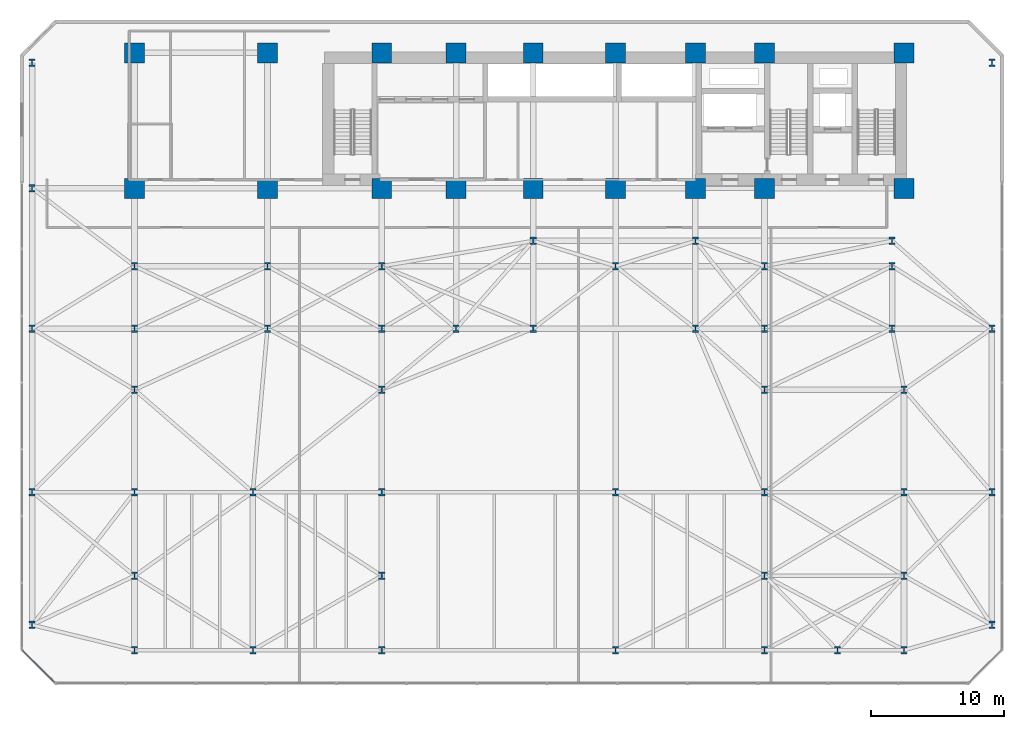
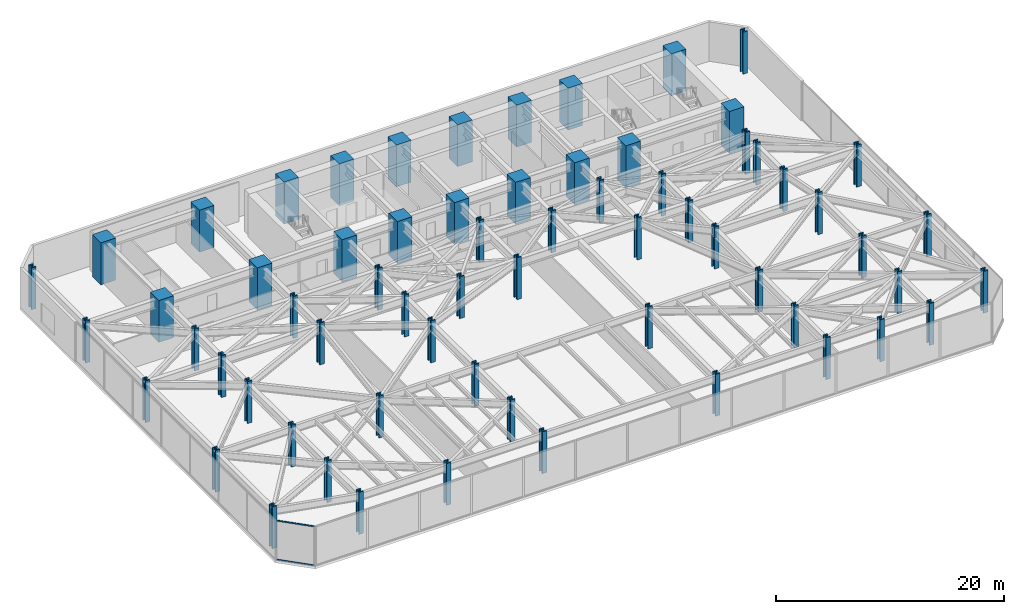
# One storey, part 1 of 28: 65 columns, 2 members, 1 element without a shape of its own.
"""IFC4 building model written with IfcOpenShell, lengths in metres."""

from ifc_helpers import new_model, si_unit, direction, frame, origin, origin_2d, place, context, subcontext, project, spatial, rectangle, hollow_rectangle, i_section, extrude, material, layer, layer_set, material_profile, profile_set, type_object, element, aggregate, save


model = new_model("IFC4")

# Units and contexts
model_context = context("Model", 3, precision=1e-05, world=origin(), true_north=direction((0.0, 1.0)))
body_context = subcontext(model_context, "Body", "Model", "MODEL_VIEW")
ifc_project = project(units=[si_unit("LENGTHUNIT", "METRE"), si_unit("AREAUNIT", "SQUARE_METRE"), si_unit("VOLUMEUNIT", "CUBIC_METRE"), si_unit("PLANEANGLEUNIT", "RADIAN"), si_unit("MASSUNIT", "GRAM", prefix="KILO")], contexts=[model_context])

# Site, building, storey
site_placement = place(None, origin())
site = spatial("IfcSite", under=ifc_project, at=site_placement, CompositionType="ELEMENT")
building_placement = place(site_placement, origin())
building = spatial("IfcBuilding", under=site, at=building_placement, Name="Kravanh Interchange Tower", CompositionType="ELEMENT")
storey_placement = place(building_placement, frame((0.0, 0.0, 15.300048828125)))
storey = spatial("IfcBuildingStorey", under=building, at=storey_placement, Name="L03", CompositionType="ELEMENT", Elevation=15.300048828125)

# Columns
ifc_material_1 = material(Name="Concrete C80/95", Category="concrete")
ifc_material_profile_1 = material_profile(ifc_material_1, rectangle(XDim=1.5, YDim=1.5, at=origin_2d()), Name="RC1500X1500")
ifc_profile_set_1 = profile_set([ifc_material_profile_1], Name="Concrete C80/95")
column_type_1 = type_object("IfcColumnType", Name="Column RC1500X1500 Concrete C80/95", PredefinedType="COLUMN", material=ifc_profile_set_1)
for number, where, z_axis, x_axis, name in (
    (1, (66.5, 47.550048828125, 0.0), (0.0, 0.0, 1.0), (1.0, 0.0, 0.0), "L03 Column CS01"),
    (2, (56.0, 47.550048828125, 0.0), (0.0, 0.0, 1.0), (1.0, 0.0, 0.0), "L03 Column CS02"),
    (3, (66.5, 37.35009765625, 0.0), (0.0, 0.0, 1.0), (1.0, 0.0, 0.0), "L03 Column CS03"),
    (4, (56.0, 37.35009765625, 0.0), (0.0, 0.0, 1.0), (1.0, 0.0, 0.0), "L03 Column CS04"),
    (5, (50.800048828125, 47.550048828125, 0.0), (0.0, 0.0, 1.0), (1.0, 0.0, 0.0), "L03 Column CS05"),
    (6, (50.800048828125, 37.35009765625, 0.0), (0.0, 0.0, 1.0), (1.0, 0.0, 0.0), "L03 Column CS06"),
    (7, (44.800048828125, 37.35009765625, 0.0), (0.0, 0.0, 1.0), (1.0, 0.0, 0.0), "L03 Column CS07"),
    (8, (44.800048828125, 47.550048828125, 0.0), (0.0, 0.0, 1.0), (1.0, 0.0, 0.0), "L03 Column CS08"),
    (9, (38.60009765625, 37.35009765625, 0.0), (0.0, 0.0, 1.0), (1.0, 0.0, 0.0), "L03 Column CS09"),
    (10, (38.60009765625, 47.550048828125, 0.0), (0.0, 0.0, 1.0), (1.0, 0.0, 0.0), "L03 Column CS10"),
    (11, (32.800048828125, 37.35009765625, 0.0), (0.0, 0.0, 1.0), (1.0, 0.0, 0.0), "L03 Column CS11"),
    (12, (32.800048828125, 47.550048828125, 0.0), (0.0, 0.0, 1.0), (1.0, 0.0, 0.0), "L03 Column CS12"),
    (13, (27.199951171875, 37.35009765625, 0.0), (0.0, 0.0, 1.0), (1.0, 0.0, 0.0), "L03 Column CS13"),
    (14, (27.199951171875, 47.550048828125, 0.0), (0.0, 0.0, 1.0), (1.0, 0.0, 0.0), "L03 Column CS14"),
    (15, (18.60009765625, 37.35009765625, 0.0), (0.0, 0.0, 1.0), (1.0, 0.0, 0.0), "L03 Column CS17"),
    (16, (18.60009765625, 47.550048828125, 0.0), (0.0, 0.0, 1.0), (1.0, 0.0, 0.0), "L03 Column CS18"),
    (17, (8.60009765625, 37.35009765625, 0.0), (0.0, 0.0, 1.0), (1.0, 0.0, 0.0), "L03 Column CS23"),
    (18, (8.60009765625, 47.550048828125, 0.0), (0.0, 0.0, 1.0), (1.0, 0.0, 0.0), "L03 Column CS24"),
):
    element("IfcColumn", number, at=place(storey_placement, frame(where, z_axis=z_axis, x_axis=x_axis)), inside=storey, type_object=column_type_1, Name=name, PredefinedType="COLUMN", context=body_context, shape_type="SweptSolid", body=[
        extrude(rectangle(XDim=1.5, YDim=1.5, at=origin_2d()), origin(), (0.0, 0.0, 1.0), 4.5),
    ])
ifc_material_2 = material(Name="Structural Steel S450", Category="steel")
ifc_material_profile_2 = material_profile(ifc_material_2, i_section(OverallWidth=0.4541015625, OverallDepth=0.569091796875, WebThickness=0.077880859375, FlangeThickness=0.124755859375, FilletRadius=0.030029296875, at=origin_2d()), Name="W14X730")
ifc_profile_set_2 = profile_set([ifc_material_profile_2], Name="Structural Steel S450")
column_type_2 = type_object("IfcColumnType", Name="Column W14X730 Structural Steel S450", PredefinedType="COLUMN", material=ifc_profile_set_2)
for number, where, z_axis, x_axis, name in (
    (19, (8.60009765625, 2.60009765625, 0.0), (0.0, 0.0, 1.0), (1.0, 0.0, 0.0), "L03 Column CP01"),
    (20, (17.5, 2.60009765625, 0.0), (0.0, 0.0, 1.0), (1.0, 0.0, 0.0), "L03 Column CP02"),
    (21, (27.199951171875, 2.60009765625, 0.0), (0.0, 0.0, 1.0), (1.0, 0.0, 0.0), "L03 Column CP03"),
    (22, (44.800048828125, 2.60009765625, 0.0), (0.0, 0.0, 1.0), (1.0, 0.0, 0.0), "L03 Column CP04"),
    (23, (56.0, 2.60009765625, 0.0), (0.0, 0.0, 1.0), (1.0, 0.0, 0.0), "L03 Column CP05"),
    (24, (61.5, 2.60009765625, 0.0), (0.0, 0.0, 1.0), (1.0, 0.0, 0.0), "L03 Column CP05B"),
    (25, (66.5, 2.60009765625, 0.0), (0.0, 0.0, 1.0), (1.0, 0.0, 0.0), "L03 Column CP06"),
    (26, (8.60009765625, 8.199951171875, 0.0), (0.0, 0.0, 1.0), (1.0, 0.0, 0.0), "L03 Column CP06B"),
    (27, (27.199951171875, 8.199951171875, 0.0), (0.0, 0.0, 1.0), (1.0, 0.0, 0.0), "L03 Column CP06C"),
    (28, (56.0, 8.199951171875, 0.0), (0.0, 0.0, 1.0), (1.0, 0.0, 0.0), "L03 Column CP06D"),
    (29, (66.5, 8.199951171875, 0.0), (0.0, 0.0, 1.0), (1.0, 0.0, 0.0), "L03 Column CP06E"),
    (30, (8.60009765625, 14.5, 0.0), (0.0, 0.0, 1.0), (1.0, 0.0, 0.0), "L03 Column CP07"),
    (31, (17.5, 14.5, 0.0), (0.0, 0.0, 1.0), (1.0, 0.0, 0.0), "L03 Column CP08"),
    (32, (27.199951171875, 14.5, 0.0), (0.0, 0.0, 1.0), (1.0, 0.0, 0.0), "L03 Column CP09"),
    (33, (44.800048828125, 14.5, 0.0), (0.0, 0.0, 1.0), (1.0, 0.0, 0.0), "L03 Column CP10"),
    (34, (56.0, 14.5, 0.0), (0.0, 0.0, 1.0), (1.0, 0.0, 0.0), "L03 Column CP11"),
    (35, (66.5, 14.5, 0.0), (0.0, 0.0, 1.0), (1.0, 0.0, 0.0), "L03 Column CP12"),
    (36, (8.60009765625, 22.199951171875, 0.0), (0.0, 0.0, 1.0), (1.0, 0.0, 0.0), "L03 Column CP12B"),
    (37, (27.199951171875, 22.199951171875, 0.0), (0.0, 0.0, 1.0), (1.0, 0.0, 0.0), "L03 Column CP12C"),
    (38, (56.0, 22.199951171875, 0.0), (0.0, 0.0, 1.0), (1.0, 0.0, 0.0), "L03 Column CP12D"),
    (39, (66.5, 22.199951171875, 0.0), (0.0, 0.0, 1.0), (1.0, 0.0, 0.0), "L03 Column CP12E"),
    (40, (8.60009765625, 26.800048828125, 0.0), (0.0, 0.0, 1.0), (1.0, 0.0, 0.0), "L03 Column CP13"),
    (41, (18.60009765625, 26.800048828125, 0.0), (0.0, 0.0, 1.0), (1.0, 0.0, 0.0), "L03 Column CP14"),
    (42, (27.199951171875, 26.800048828125, 0.0), (0.0, 0.0, 1.0), (1.0, 0.0, 0.0), "L03 Column CP15"),
    (43, (32.800048828125, 26.800048828125, 0.0), (0.0, 0.0, 1.0), (1.0, 0.0, 0.0), "L03 Column CP16"),
    (44, (38.60009765625, 26.800048828125, 0.0), (0.0, 0.0, 1.0), (1.0, 0.0, 0.0), "L03 Column CP16B"),
    (45, (50.800048828125, 26.800048828125, 0.0), (0.0, 0.0, 1.0), (1.0, 0.0, 0.0), "L03 Column CP17"),
    (46, (56.0, 26.800048828125, 0.0), (0.0, 0.0, 1.0), (1.0, 0.0, 0.0), "L03 Column CP18"),
    (47, (65.60009765625, 26.800048828125, 0.0), (0.0, 0.0, 1.0), (1.0, 0.0, 0.0), "L03 Column CP19"),
    (48, (8.60009765625, 31.5, 0.0), (0.0, 0.0, 1.0), (1.0, 0.0, 0.0), "L03 Column CP19B"),
    (49, (18.60009765625, 31.5, 0.0), (0.0, 0.0, 1.0), (1.0, 0.0, 0.0), "L03 Column CP20"),
    (50, (27.199951171875, 31.5, 0.0), (0.0, 0.0, 1.0), (1.0, 0.0, 0.0), "L03 Column CP21"),
    (51, (44.800048828125, 31.5, 0.0), (0.0, 0.0, 1.0), (1.0, 0.0, 0.0), "L03 Column CP22"),
    (52, (56.0, 31.5, 0.0), (0.0, 0.0, 1.0), (1.0, 0.0, 0.0), "L03 Column CP23"),
    (53, (65.60009765625, 31.5, 0.0), (0.0, 0.0, 1.0), (1.0, 0.0, 0.0), "L03 Column CP24"),
    (54, (0.89990234375, 4.5, 0.0), (0.0, 0.0, 1.0), (1.0, 0.0, 0.0), "L03 Column CP25"),
    (55, (0.89990234375, 14.5, 0.0), (0.0, 0.0, 1.0), (1.0, 0.0, 0.0), "L03 Column CP25B"),
    (56, (0.89990234375, 26.800048828125, 0.0), (0.0, 0.0, 1.0), (1.0, 0.0, 0.0), "L03 Column CP25C"),
    (57, (0.89990234375, 37.35009765625, 0.0), (0.0, 0.0, 1.0), (1.0, 0.0, 0.0), "L03 Column CP25D"),
    (58, (0.89990234375, 46.800048828125, 0.0), (0.0, 0.0, 1.0), (1.0, 0.0, 0.0), "L03 Column CP26"),
    (59, (73.10009765625, 4.5, 0.0), (0.0, 0.0, 1.0), (1.0, 0.0, 0.0), "L03 Column CP27"),
    (60, (73.10009765625, 14.5, 0.0), (0.0, 0.0, 1.0), (1.0, 0.0, 0.0), "L03 Column CP27B"),
    (61, (73.10009765625, 26.800048828125, 0.0), (0.0, 0.0, 1.0), (1.0, 0.0, 0.0), "L03 Column CP27C"),
    (62, (73.10009765625, 46.800048828125, 0.0), (0.0, 0.0, 1.0), (1.0, 0.0, 0.0), "L03 Column CP28"),
    (63, (38.60009765625, 33.39990234375, 0.0), (0.0, 0.0, 1.0), (1.0, 0.0, 0.0), "L03 Column CP_M1"),
    (64, (50.800048828125, 33.39990234375, 0.0), (0.0, 0.0, 1.0), (1.0, 0.0, 0.0), "L03 Column CP_M2"),
    (65, (65.60009765625, 33.39990234375, 0.0), (0.0, 0.0, 1.0), (1.0, 0.0, 0.0), "L03 Column CP_M3"),
):
    element("IfcColumn", number, at=place(storey_placement, frame(where, z_axis=z_axis, x_axis=x_axis)), inside=storey, type_object=column_type_2, Name=name, PredefinedType="COLUMN", context=body_context, shape_type="SweptSolid", body=[
        extrude(i_section(OverallWidth=0.4541015625, OverallDepth=0.569091796875, WebThickness=0.077880859375, FlangeThickness=0.124755859375, FilletRadius=0.030029296875, at=origin_2d()), origin(), (0.0, 0.0, 1.0), 4.5),
    ])

# Curtain wall, members
ifc_material_3 = material(Name="Anodised Bronze Aluminium", Category="aluminium")
ifc_layer = layer(ifc_material_3, 0.179931640625)
ifc_layer_set = layer_set([ifc_layer], Name="Unitised Curtain Wall System CW-POD Podium Concourse")
curtain_wall_type = type_object("IfcCurtainWallType", Name="Unitised Curtain Wall System CW-POD Podium Concourse", PredefinedType="NOTDEFINED", material=ifc_layer_set)
curtain_wall_placement = place(storey_placement, origin())
curtain_wall = element("IfcCurtainWall", 66, at=curtain_wall_placement, inside=storey, type_object=curtain_wall_type, Name="L03 Unitised Curtain Wall CW-L03-05", PredefinedType="NOTDEFINED")
ifc_material_4 = material(Name="Anodised Bronze Aluminium", Category="aluminium")
ifc_material_profile_3 = material_profile(ifc_material_4, hollow_rectangle(XDim=0.06005859375, YDim=0.139892578125, WallThickness=0.00390625, at=origin_2d()), Name="ALU60X140X4")
ifc_profile_set_3 = profile_set([ifc_material_profile_3], Name="Anodised Bronze Aluminium")
member_type = type_object("IfcMemberType", Name="Curtain Wall Transom ALU60X140X4 Bronze", PredefinedType="USERDEFINED", material=ifc_profile_set_3)
member_1_placement = place(storey_placement, frame((2.60009765625, 0.16943359375, 0.030029296875), z_axis=(-0.707106781187, 0.707106781187, 0.0), x_axis=(-0.707106781187, -0.707106781187, 0.0)))
member_1 = element("IfcMember", 67, at=member_1_placement, type_object=member_type, Name="CW-POD transom 1.1", ObjectType="TRANSOM", PredefinedType="USERDEFINED", context=body_context, shape_type="SweptSolid", body=[
    extrude(hollow_rectangle(XDim=0.06005859375, YDim=0.139892578125, WallThickness=0.00390625, at=origin_2d()), origin(), (0.0, 0.0, 1.0), 3.4375),
])
member_2_placement = place(storey_placement, frame((2.60009765625, 0.16943359375, 4.199951171875), z_axis=(-0.707106781187, 0.707106781187, 0.0), x_axis=(-0.707106781187, -0.707106781187, 0.0)))
member_2 = element("IfcMember", 68, at=member_2_placement, type_object=member_type, Name="CW-POD transom 1.2", ObjectType="TRANSOM", PredefinedType="USERDEFINED", context=body_context, shape_type="SweptSolid", body=[
    extrude(hollow_rectangle(XDim=0.06005859375, YDim=0.139892578125, WallThickness=0.00390625, at=origin_2d()), origin(), (0.0, 0.0, 1.0), 3.4375),
])
aggregate(curtain_wall, [member_1, member_2])

save(model, "model.ifc")
